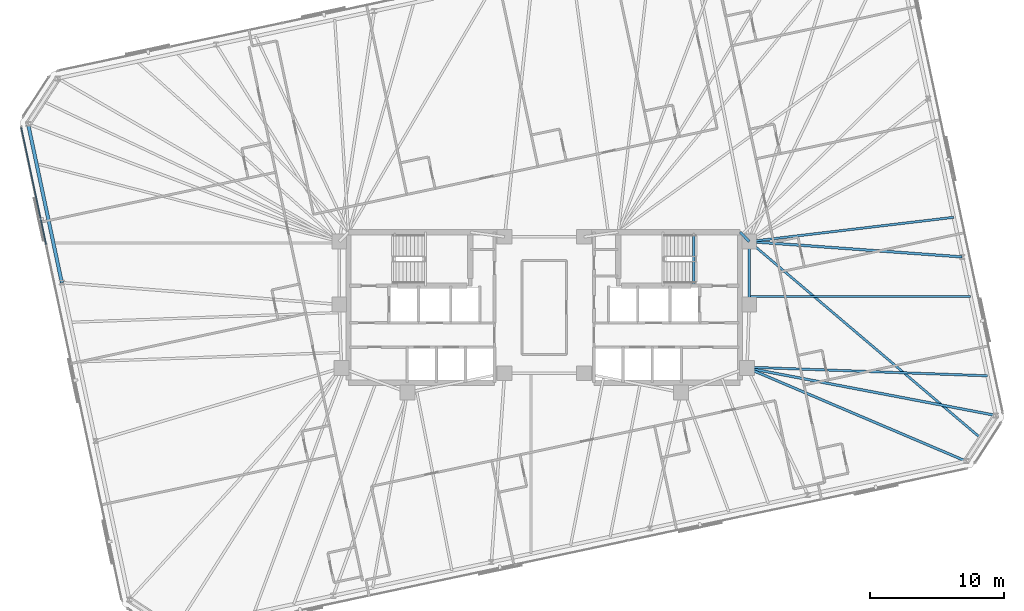
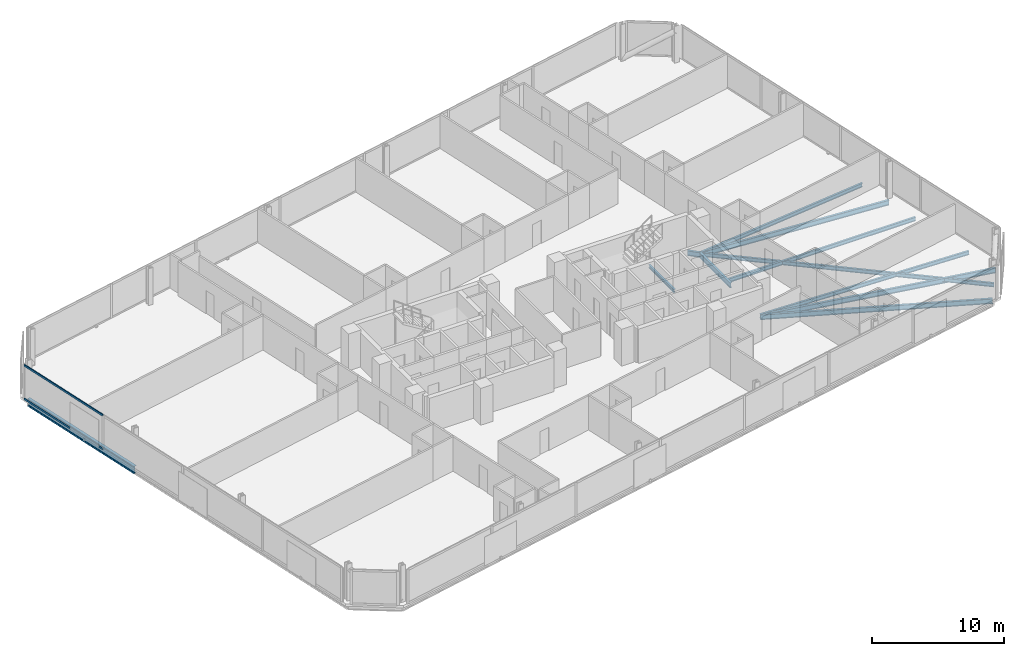
# One storey, part 8 of 19: 11 beams, 2 members, 1 element without a shape of its own.
"""IFC4 building model written with IfcOpenShell, lengths in metres."""

from ifc_helpers import new_model, si_unit, direction, frame, origin, origin_2d, place, context, subcontext, project, spatial, rectangle, i_section, extrude, material, material_profile, profile_set, type_object, element, aggregate, save


model = new_model("IFC4")

# Units and contexts
model_context = context("Model", 3, precision=1e-05, world=origin(), true_north=direction((0.0, 1.0)))
body_context = subcontext(model_context, "Body", "Model", "MODEL_VIEW")
ifc_project = project(units=[si_unit("LENGTHUNIT", "METRE"), si_unit("AREAUNIT", "SQUARE_METRE"), si_unit("VOLUMEUNIT", "CUBIC_METRE"), si_unit("PLANEANGLEUNIT", "RADIAN"), si_unit("MASSUNIT", "GRAM", prefix="KILO")], contexts=[model_context])

# Site, building, storey
site_placement = place(None, origin())
site = spatial("IfcSite", under=ifc_project, at=site_placement, CompositionType="ELEMENT")
building_placement = place(site_placement, origin())
building = spatial("IfcBuilding", under=site, at=building_placement, Name="Menara Jurai Vektor", CompositionType="ELEMENT")
storey_placement = place(building_placement, frame((0.0, 0.0, 154.800048828125)))
storey = spatial("IfcBuildingStorey", under=building, at=storey_placement, Name="L39", CompositionType="ELEMENT", Elevation=154.800048828125)

# Curtain wall, members
ifc_material_1 = material(Name="Anodised Pale Aluminium & Low-E Double Glazing", Category="aluminium")
curtain_wall_type = type_object("IfcCurtainWallType", Name="CW-BLK3", PredefinedType="NOTDEFINED", material=ifc_material_1)
curtain_wall_placement = place(storey_placement, origin())
curtain_wall = element("IfcCurtainWall", 1, at=curtain_wall_placement, inside=storey, type_object=curtain_wall_type, Name="Unitised Curtain Wall L39 F07", PredefinedType="NOTDEFINED")
ifc_material_2 = material(Name="Anodised Pale Aluminium Transom", Category="aluminium")
ifc_material_profile_1 = material_profile(ifc_material_2, rectangle(XDim=0.0849609375, YDim=0.175048828125, at=origin_2d()), Name="ALU TRN 85x175")
ifc_profile_set_1 = profile_set([ifc_material_profile_1], Name="Anodised Pale Aluminium Transom")
member_type = type_object("IfcMemberType", Name="CW-BLK3-TRN", PredefinedType="USERDEFINED", material=ifc_profile_set_1)
member_1_placement = place(storey_placement, frame((-38.896728515625, 13.378173828125, 0.04248046875), z_axis=(0.207899517354, -0.978150188204, 0.0), x_axis=(0.978150188204, 0.207899517354, 0.0)))
member_1 = element("IfcMember", 2, at=member_1_placement, type_object=member_type, Name="CW-03 transom 1.1", ObjectType="TRANSOM", PredefinedType="USERDEFINED", context=body_context, shape_type="SweptSolid", body=[
    extrude(rectangle(XDim=0.0849609375, YDim=0.175048828125, at=origin_2d()), origin(), (0.0, 0.0, 1.0), 8.882568359375),
])
member_2_placement = place(storey_placement, frame((-38.896728515625, 13.378173828125, 3.132568359375), z_axis=(0.207899517354, -0.978150188204, 0.0), x_axis=(0.978150188204, 0.207899517354, 0.0)))
member_2 = element("IfcMember", 3, at=member_2_placement, type_object=member_type, Name="CW-03 transom 1.2", ObjectType="TRANSOM", PredefinedType="USERDEFINED", context=body_context, shape_type="SweptSolid", body=[
    extrude(rectangle(XDim=0.0849609375, YDim=0.175048828125, at=origin_2d()), origin(), (0.0, 0.0, 1.0), 8.882568359375),
])
aggregate(curtain_wall, [member_1, member_2])

# Beams
ifc_material_3 = material(Name="Steel S355", Category="steel")
ifc_material_profile_2 = material_profile(ifc_material_3, i_section(OverallWidth=0.19091796875, OverallDepth=0.4599609375, WebThickness=0.010009765625, FlangeThickness=0.01611328125, FilletRadius=0.010009765625, at=origin_2d()), Name="UKB 457x191x82")
ifc_profile_set_2 = profile_set([ifc_material_profile_2], Name="Steel S355")
beam_type_1 = type_object("IfcBeamType", Name="STR-BM-457", PredefinedType="BEAM", material=ifc_profile_set_2)
beam_1_placement = place(storey_placement, frame((14.56005859375, 5.60009765625, -0.455078125), z_axis=(0.701871936926, -0.712303154672, 0.0), x_axis=(0.712303154672, 0.701871936926, 0.0)))
element("IfcBeam", 4, at=beam_1_placement, inside=storey, type_object=beam_type_1, Name="Core Ring Header Girder L39-CHE-N2", PredefinedType="BEAM", context=body_context, shape_type="SweptSolid", body=[
    extrude(i_section(OverallWidth=0.19091796875, OverallDepth=0.4599609375, WebThickness=0.010009765625, FlangeThickness=0.01611328125, FilletRadius=0.010009765625, at=origin_2d()), origin(), (0.0, 0.0, 1.0), 0.98291015625),
])
beam_2_placement = place(storey_placement, frame((15.25, 0.219970703125, -0.455078125), z_axis=(0.0, 1.0, 0.0), x_axis=(-1.0, 0.0, 0.0)))
element("IfcBeam", 5, at=beam_2_placement, inside=storey, type_object=beam_type_1, Name="Core Ring Header Girder L39-CHE-E1", PredefinedType="BEAM", context=body_context, shape_type="SweptSolid", body=[
    extrude(i_section(OverallWidth=0.19091796875, OverallDepth=0.4599609375, WebThickness=0.010009765625, FlangeThickness=0.01611328125, FilletRadius=0.010009765625, at=origin_2d()), origin(), (0.0, 0.0, 1.0), 4.679931640625),
])
beam_3_placement = place(storey_placement, frame((31.376220703125, -11.438720703125, -0.455078125), z_axis=(-0.920069342045, 0.391755543458, 0.0), x_axis=(-0.391755543458, -0.920069342045, 0.0)))
element("IfcBeam", 6, at=beam_3_placement, inside=storey, type_object=beam_type_1, Name="Radial Floor Girder L39-S6", PredefinedType="BEAM", context=body_context, shape_type="SweptSolid", body=[
    extrude(i_section(OverallWidth=0.19091796875, OverallDepth=0.4599609375, WebThickness=0.010009765625, FlangeThickness=0.01611328125, FilletRadius=0.010009765625, at=origin_2d()), origin(), (0.0, 0.0, 1.0), 17.7119140625),
])
beam_4_placement = place(storey_placement, frame((33.588623046875, -8.031982421875, -0.455078125), z_axis=(-0.982274660407, 0.187447303322, 0.0), x_axis=(-0.187447303322, -0.982274660407, 0.0)))
element("IfcBeam", 7, at=beam_4_placement, inside=storey, type_object=beam_type_1, Name="Radial Floor Girder L39-E1", PredefinedType="BEAM", context=body_context, shape_type="SweptSolid", body=[
    extrude(i_section(OverallWidth=0.19091796875, OverallDepth=0.4599609375, WebThickness=0.010009765625, FlangeThickness=0.01611328125, FilletRadius=0.010009765625, at=origin_2d()), origin(), (0.0, 0.0, 1.0), 18.842529296875),
])
beam_5_placement = place(storey_placement, frame((31.082763671875, 3.75634765625, -0.455078125), z_axis=(-0.997401783921, 0.072039443584, 0.0), x_axis=(-0.072039443584, -0.997401783921, 0.0)))
element("IfcBeam", 8, at=beam_5_placement, inside=storey, type_object=beam_type_1, Name="Radial Floor Girder L39-E2", PredefinedType="BEAM", context=body_context, shape_type="SweptSolid", body=[
    extrude(i_section(OverallWidth=0.19091796875, OverallDepth=0.4599609375, WebThickness=0.010009765625, FlangeThickness=0.01611328125, FilletRadius=0.010009765625, at=origin_2d()), origin(), (0.0, 0.0, 1.0), 15.8740234375),
])
ifc_material_profile_3 = material_profile(ifc_material_3, i_section(OverallWidth=0.172119140625, OverallDepth=0.35498046875, WebThickness=0.007080078125, FlangeThickness=0.011962890625, FilletRadius=0.010009765625, at=origin_2d()), Name="UKB 356x171x51")
ifc_profile_set_3 = profile_set([ifc_material_profile_3], Name="Steel S355")
beam_type_2 = type_object("IfcBeamType", Name="STR-JS-356", PredefinedType="JOIST", material=ifc_profile_set_3)
beam_6_placement = place(storey_placement, frame((32.482421875, -9.7353515625, -0.402587890625), z_axis=(-0.762207822165, 0.6473323998, 0.0), x_axis=(-0.6473323998, -0.762207822165, 0.0)))
element("IfcBeam", 9, at=beam_6_placement, inside=storey, type_object=beam_type_2, Name="Radial Secondary Floor Joist L39-JS10", PredefinedType="JOIST", context=body_context, shape_type="SweptSolid", body=[
    extrude(i_section(OverallWidth=0.172119140625, OverallDepth=0.35498046875, WebThickness=0.007080078125, FlangeThickness=0.011962890625, FilletRadius=0.010009765625, at=origin_2d()), origin(), (0.0, 0.0, 1.0), 22.608642578125),
])
beam_7_placement = place(storey_placement, frame((32.962158203125, -5.0849609375, -0.402587890625), z_axis=(-0.999351908775, 0.035996700238, 0.0), x_axis=(-0.035996700238, -0.999351908775, 0.0)))
element("IfcBeam", 10, at=beam_7_placement, inside=storey, type_object=beam_type_2, Name="Radial Secondary Floor Joist L39-JS11", PredefinedType="JOIST", context=body_context, shape_type="SweptSolid", body=[
    extrude(i_section(OverallWidth=0.172119140625, OverallDepth=0.35498046875, WebThickness=0.007080078125, FlangeThickness=0.011962890625, FilletRadius=0.010009765625, at=origin_2d()), origin(), (0.0, 0.0, 1.0), 17.8916015625),
])
beam_8_placement = place(storey_placement, frame((31.709228515625, 0.809326171875, -0.402587890625), z_axis=(-1.0, 0.0, 0.0), x_axis=(0.0, -1.0, 0.0)))
element("IfcBeam", 11, at=beam_8_placement, inside=storey, type_object=beam_type_2, Name="Radial Secondary Floor Joist L39-JS12", PredefinedType="JOIST", context=body_context, shape_type="SweptSolid", body=[
    extrude(i_section(OverallWidth=0.172119140625, OverallDepth=0.35498046875, WebThickness=0.007080078125, FlangeThickness=0.011962890625, FilletRadius=0.010009765625, at=origin_2d()), origin(), (0.0, 0.0, 1.0), 16.459228515625),
])
beam_9_placement = place(storey_placement, frame((30.456298828125, 6.70361328125, -0.402587890625), z_axis=(-0.993038492178, -0.11779029269, 0.0), x_axis=(0.11779029269, -0.993038492178, 0.0)))
element("IfcBeam", 12, at=beam_9_placement, inside=storey, type_object=beam_type_2, Name="Radial Secondary Floor Joist L39-JS13", PredefinedType="JOIST", context=body_context, shape_type="SweptSolid", body=[
    extrude(i_section(OverallWidth=0.172119140625, OverallDepth=0.35498046875, WebThickness=0.007080078125, FlangeThickness=0.011962890625, FilletRadius=0.010009765625, at=origin_2d()), origin(), (0.0, 0.0, 1.0), 15.31298828125),
])
ifc_material_profile_4 = material_profile(ifc_material_3, i_section(OverallWidth=0.1650390625, OverallDepth=0.302978515625, WebThickness=0.006103515625, FlangeThickness=0.010009765625, FilletRadius=0.009033203125, at=origin_2d()), Name="UKB 305x165x40")
ifc_profile_set_4 = profile_set([ifc_material_profile_4], Name="Steel S355")
beam_type_3 = type_object("IfcBeamType", Name="STR-LN-305", PredefinedType="LINTEL", material=ifc_profile_set_4)
beam_10_placement = place(storey_placement, frame((11.1201171875, 1.60009765625, -0.37646484375), z_axis=(0.0, 1.0, 0.0), x_axis=(-1.0, 0.0, 0.0)))
element("IfcBeam", 13, at=beam_10_placement, inside=storey, type_object=beam_type_3, Name="Stair Well Floor Trimmer ST2 L39", PredefinedType="LINTEL", context=body_context, shape_type="SweptSolid", body=[
    extrude(i_section(OverallWidth=0.1650390625, OverallDepth=0.302978515625, WebThickness=0.006103515625, FlangeThickness=0.010009765625, FilletRadius=0.009033203125, at=origin_2d()), origin(), (0.0, 0.0, 1.0), 3.81982421875),
])
ifc_material_4 = material(Name="Steel S460", Category="steel")
ifc_material_profile_5 = material_profile(ifc_material_4, i_section(OverallWidth=0.256103515625, OverallDepth=0.693115234375, WebThickness=0.013916015625, FlangeThickness=0.02392578125, FilletRadius=0.014892578125, at=origin_2d()), Name="UKB 686x254x170")
ifc_profile_set_5 = profile_set([ifc_material_profile_5], Name="Steel S460")
beam_type_4 = type_object("IfcBeamType", Name="STR-SP-686", PredefinedType="SPANDREL", material=ifc_profile_set_5)
beam_11_placement = place(storey_placement, frame((-38.388671875, 13.632080078125, -0.571533203125), z_axis=(0.207921262698, -0.978145566119, 0.0), x_axis=(0.978145566119, 0.207921262698, 0.0)))
element("IfcBeam", 14, at=beam_11_placement, inside=storey, type_object=beam_type_4, Name="Exoskeleton Spandrel Beam L39-17", PredefinedType="SPANDREL", context=body_context, shape_type="SweptSolid", body=[
    extrude(i_section(OverallWidth=0.256103515625, OverallDepth=0.693115234375, WebThickness=0.013916015625, FlangeThickness=0.02392578125, FilletRadius=0.014892578125, at=origin_2d()), origin(), (0.0, 0.0, 1.0), 12.052001953125),
])

save(model, "model.ifc")
